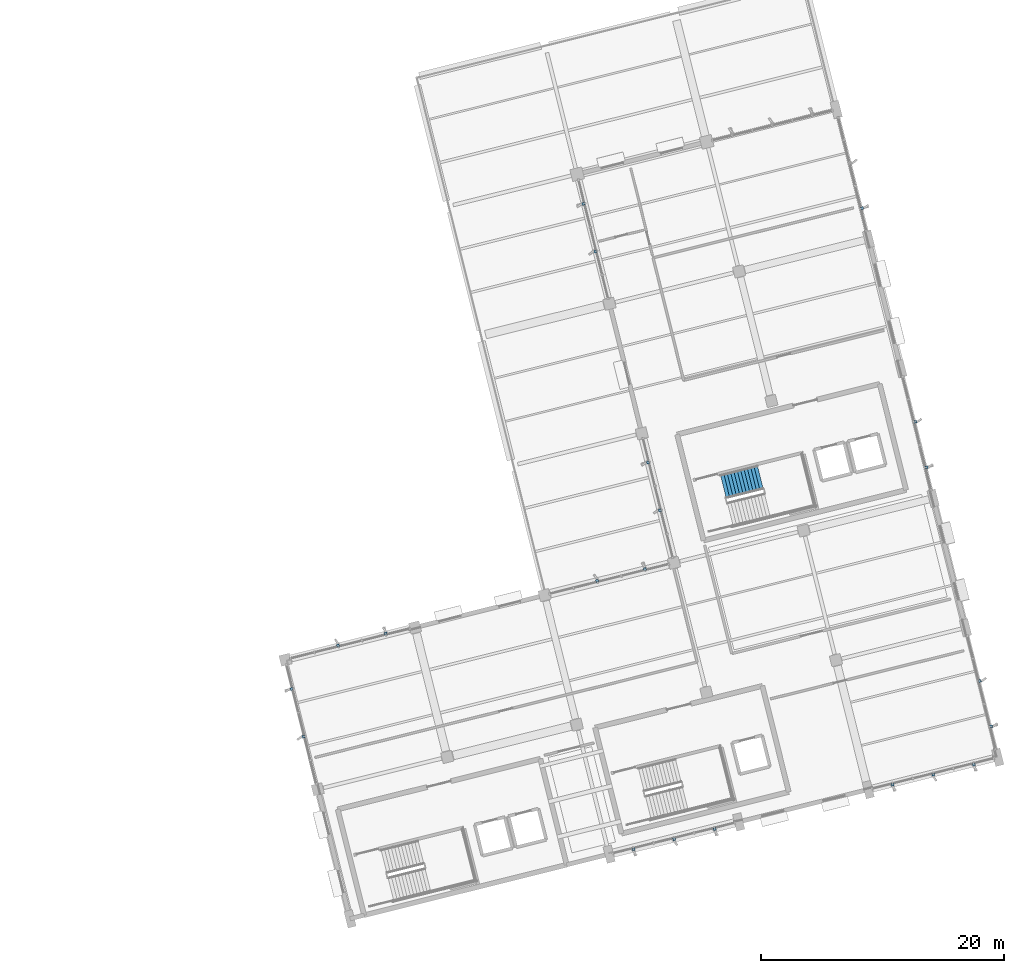
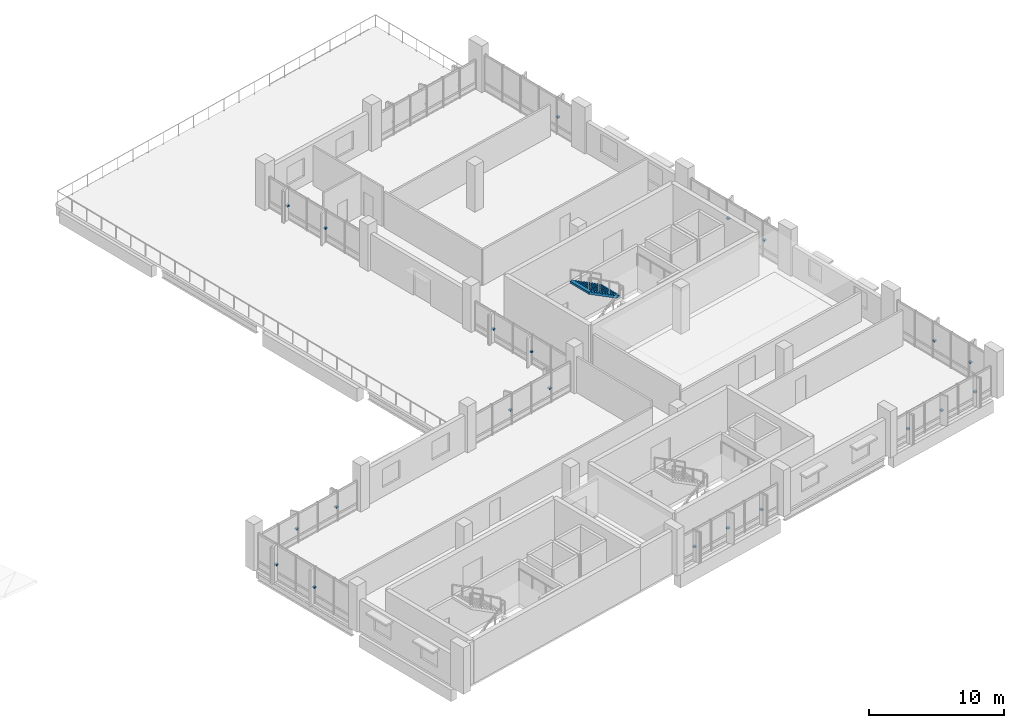
# One storey, part 37 of 42: 21 discrete accessories, 1 stair flight, 1 element without a shape of its own.
"""IFC4 building model written with IfcOpenShell, lengths in metres."""

from ifc_helpers import new_model, si_unit, direction, frame, origin, origin_2d, place, context, subcontext, project, spatial, polyline, rectangle, outline, extrude, material, type_object, element, aggregate, save


model = new_model("IFC4")

# Units and contexts
model_context = context("Model", 3, precision=1e-05, world=origin(), true_north=direction((0.0, 1.0)))
body_context = subcontext(model_context, "Body", "Model", "MODEL_VIEW")
ifc_project = project(units=[si_unit("LENGTHUNIT", "METRE"), si_unit("AREAUNIT", "SQUARE_METRE"), si_unit("VOLUMEUNIT", "CUBIC_METRE"), si_unit("PLANEANGLEUNIT", "RADIAN"), si_unit("MASSUNIT", "GRAM", prefix="KILO")], contexts=[model_context])

# Site, building, storey
site_placement = place(None, origin())
site = spatial("IfcSite", under=ifc_project, at=site_placement, CompositionType="ELEMENT")
building_placement = place(site_placement, origin())
building = spatial("IfcBuilding", under=site, at=building_placement, Name="Khorjan Park Terminus", CompositionType="ELEMENT")
storey_placement = place(building_placement, frame((0.0, 0.0, 20.4)))
storey = spatial("IfcBuildingStorey", under=building, at=storey_placement, Name="L04", CompositionType="ELEMENT", Elevation=20.4)

# Stair, stair flight
ifc_material_1 = material(Name="Concrete C40/50", Category="concrete")
stair_type = type_object("IfcStairType", Name="STR-CORE-200", PredefinedType="HALF_TURN_STAIR", material=ifc_material_1)
stair_placement = place(storey_placement, origin())
stair = element("IfcStair", 1, at=stair_placement, inside=storey, type_object=stair_type, Name="L04 Operations North-East Firefighting Core exit stair ST-04", PredefinedType="HALF_TURN_STAIR")
stair_flight_type = type_object("IfcStairFlightType", Name="FLT-STC-20", PredefinedType="STRAIGHT", material=ifc_material_1)
stair_flight_placement = place(storey_placement, frame((210.4742, 41.0286, 2.1), z_axis=(0.0, 0.0, 1.0), x_axis=(-0.970295726276, -0.2419218956, 0.0)))
stair_flight = element("IfcStairFlight", 2, at=stair_flight_placement, type_object=stair_flight_type, Name="ST-04 flight 2", NumberOfRisers=12, NumberOfTreads=11, PredefinedType="STRAIGHT", RiserHeight=0.175, TreadLength=0.285, context=body_context, shape_type="SweptSolid", body=[
    extrude(outline(polyline([(0.0, 0.0), (0.0, 0.175), (0.285, 0.175), (0.285, 0.35), (0.57, 0.35), (0.57, 0.525), (0.855, 0.525), (0.855, 0.7), (1.14, 0.7), (1.14, 0.875), (1.425, 0.875), (1.425, 1.05), (1.71, 1.05), (1.71, 1.225), (1.995, 1.225), (1.995, 1.4), (2.28, 1.4), (2.28, 1.575), (2.565, 1.575), (2.565, 1.75), (2.85, 1.75), (2.85, 1.925), (3.135, 1.925), (3.135, 2.1), (3.135, 1.7372), (0.3058, 0.0), (0.0, 0.0)])), frame((0.0, 1.0, 0.0), z_axis=(0.0, -1.0, 0.0), x_axis=(1.0, 0.0, 0.0)), (0.0, 0.0, 1.0), 2.0),
])
aggregate(stair, [stair_flight])

# Discrete accessories
ifc_material_2 = material(Name="Steel S355", Category="steel")
discrete_accessory_type = type_object("IfcDiscreteAccessoryType", Name="ACC-BRK-FIN", PredefinedType="BRACKET", material=ifc_material_2)
for number, where, z_axis, x_axis, name in (
    (3, (200.034, 10.3929, 1.1652), (0.0, 0.0, 1.0), (0.970294772494, 0.241925720978, 0.0), "Solar fin structural bracket BK-01 (CW-V5-S-L04-B03-1)"),
    (4, (203.3783, 11.2267, 1.1652), (0.0, 0.0, 1.0), (0.970294772494, 0.241925720978, 0.0), "Solar fin structural bracket BK-01 (CW-V5-S-L04-B03-3)"),
    (5, (206.7226, 12.0606, 1.1652), (0.0, 0.0, 1.0), (0.970294772494, 0.241925720978, 0.0), "Solar fin structural bracket BK-01 (CW-V5-S-L04-B03-5)"),
    (6, (221.3803, 15.7151, 1.1225), (0.0, 0.0, 1.0), (0.970296464407, 0.241918935098, 0.0), "Solar fin structural bracket BK-01 (CW-V5-S-L04-B05-1)"),
    (7, (224.7248, 16.549, 1.1225), (0.0, 0.0, 1.0), (0.970296464407, 0.241918935098, 0.0), "Solar fin structural bracket BK-01 (CW-V5-S-L04-B05-3)"),
    (8, (228.0694, 17.3829, 1.1225), (0.0, 0.0, 1.0), (0.970296464407, 0.241918935098, 0.0), "Solar fin structural bracket BK-01 (CW-V5-S-L04-B05-5)"),
    (9, (229.4959, 20.5192, 1.3948), (0.0, 0.0, 1.0), (-0.241920488516, 0.9702960771, 0.0), "Solar fin structural bracket BK-01 (CW-V5-E-L04-B01-1)"),
    (10, (228.563, 24.2607, 1.3948), (0.0, 0.0, 1.0), (-0.241920488516, 0.9702960771, 0.0), "Solar fin structural bracket BK-01 (CW-V5-E-L04-B01-3)"),
    (11, (224.1736, 41.8656, 1.3722), (0.0, 0.0, 1.0), (-0.241922975976, 0.970295456907, 0.0), "Solar fin structural bracket BK-01 (CW-V5-E-L04-B03-1)"),
    (12, (223.2407, 45.6073, 1.3722), (0.0, 0.0, 1.0), (-0.241922975976, 0.970295456907, 0.0), "Solar fin structural bracket BK-01 (CW-V5-E-L04-B03-3)"),
    (13, (218.8514, 63.2123, 1.4217), (0.0, 0.0, 1.0), (-0.241935125171, 0.970292427678, 0.0), "Solar fin structural bracket BK-01 (CW-V5-E-L04-B05-1)"),
    (14, (195.9043, 63.5655, 1.2193), (0.0, 0.0, 1.0), (0.241919922282, -0.970296218277, 0.0), "Solar fin structural bracket BK-01 (CW-V5-NW1-L04-B01-1)"),
    (15, (196.8806, 59.6495, 1.2193), (0.0, 0.0, 1.0), (0.241919922282, -0.970296218277, 0.0), "Solar fin structural bracket BK-01 (CW-V5-NW1-L04-B01-3)"),
    (16, (201.217, 42.2572, 1.1225), (0.0, 0.0, 1.0), (0.241920636916, -0.9702960401, 0.0), "Solar fin structural bracket BK-01 (CW-V5-NW1-L04-B03-1)"),
    (17, (202.1982, 38.3218, 1.1225), (0.0, 0.0, 1.0), (0.241920636916, -0.9702960401, 0.0), "Solar fin structural bracket BK-01 (CW-V5-NW1-L04-B03-3)"),
    (18, (200.964, 33.4837, 1.1652), (0.0, 0.0, 1.0), (-0.970294289952, -0.241927656308, 0.0), "Solar fin structural bracket BK-01 (CW-V5-NW2-L04-B01-1)"),
    (19, (197.0283, 32.5024, 1.1652), (0.0, 0.0, 1.0), (-0.970294289952, -0.241927656308, 0.0), "Solar fin structural bracket BK-01 (CW-V5-NW2-L04-B01-3)"),
    (20, (179.6173, 28.1614, 1.1225), (0.0, 0.0, 1.0), (-0.9702960401, -0.241920636916, 0.0), "Solar fin structural bracket BK-01 (CW-V5-NW2-L04-B03-1)"),
    (21, (175.6819, 27.1802, 1.1225), (0.0, 0.0, 1.0), (-0.9702960401, -0.241920636916, 0.0), "Solar fin structural bracket BK-01 (CW-V5-NW2-L04-B03-3)"),
    (22, (171.8583, 23.601, 1.3948), (0.0, 0.0, 1.0), (0.241927656308, -0.970294289952, 0.0), "Solar fin structural bracket BK-01 (CW-V5-W-L04-B01-1)"),
    (23, (172.8396, 19.6653, 1.3948), (0.0, 0.0, 1.0), (0.241927656308, -0.970294289952, 0.0), "Solar fin structural bracket BK-01 (CW-V5-W-L04-B01-3)"),
):
    element("IfcDiscreteAccessory", number, at=place(storey_placement, frame(where, z_axis=z_axis, x_axis=x_axis)), inside=storey, type_object=discrete_accessory_type, Name=name, PredefinedType="BRACKET", context=body_context, shape_type="SweptSolid", body=[
        extrude(rectangle(XDim=0.22, YDim=0.22, at=origin_2d()), origin(), (0.0, 0.0, 1.0), 0.14),
    ])

save(model, "model.ifc")
